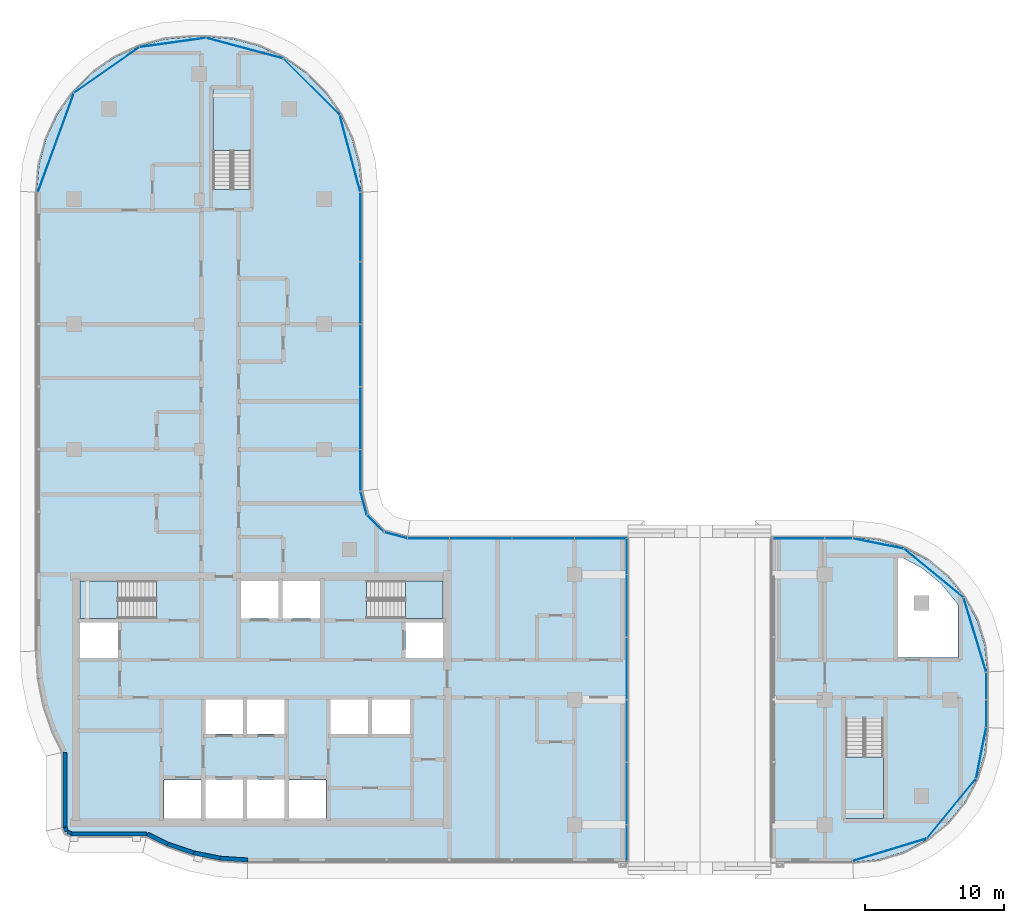
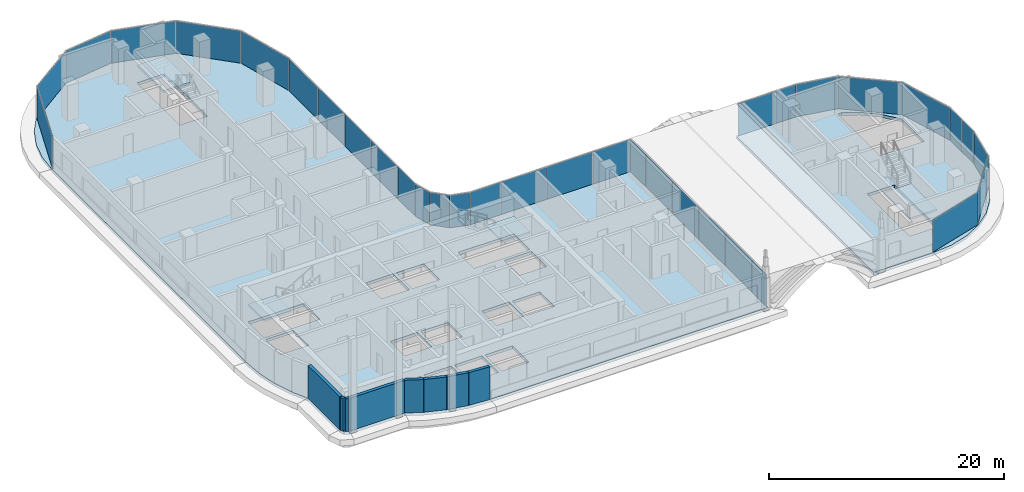
# One storey, part 9 of 23: 34 plates, 8 walls, 6 slabs, 13 elements without a shape of their own.
"""IFC4 building model written with IfcOpenShell, lengths in metres."""

from ifc_helpers import new_model, si_unit, direction, frame, frame_2d, origin, origin_2d, place, context, subcontext, project, spatial, polyline, rectangle, outline, extrude, material, layer, layer_set, type_object, element, aggregate, save


model = new_model("IFC4")

# Units and contexts
model_context = context("Model", 3, precision=1e-05, world=origin(), true_north=direction((0.0, 1.0)))
body_context = subcontext(model_context, "Body", "Model", "MODEL_VIEW")
ifc_project = project(units=[si_unit("LENGTHUNIT", "METRE"), si_unit("AREAUNIT", "SQUARE_METRE"), si_unit("VOLUMEUNIT", "CUBIC_METRE"), si_unit("PLANEANGLEUNIT", "RADIAN"), si_unit("MASSUNIT", "GRAM", prefix="KILO")], contexts=[model_context])

# Site, building, storey
site_placement = place(None, origin())
site = spatial("IfcSite", under=ifc_project, at=site_placement, CompositionType="ELEMENT")
building_placement = place(site_placement, origin())
building = spatial("IfcBuilding", under=site, at=building_placement, Name="Ogive Portal Towers", CompositionType="ELEMENT")
storey_placement = place(building_placement, frame((0.0, 0.0, 179.199951171875)))
storey = spatial("IfcBuildingStorey", under=building, at=storey_placement, Name="L44", CompositionType="ELEMENT", Elevation=179.199951171875)

# Curtain wall, plates
ifc_material_1 = material(Name="Glass, clear low-iron insulated glazing", Category="glass")
curtain_wall_type = type_object("IfcCurtainWallType", Name="CW FRONT RIBBON 4500", PredefinedType="NOTDEFINED", material=ifc_material_1)
curtain_wall_1_placement = place(storey_placement, origin())
curtain_wall_1 = element("IfcCurtainWall", 1, at=curtain_wall_1_placement, inside=storey, type_object=curtain_wall_type, Name="A:L44:f09:cw0", PredefinedType="NOTDEFINED")
ifc_layer_1 = layer(ifc_material_1, 0.028076171875)
ifc_layer_set_1 = layer_set([ifc_layer_1], Name="CW PANEL IGU 28")
plate_type = type_object("IfcPlateType", Name="CW PANEL IGU 28", PredefinedType="CURTAIN_PANEL", material=ifc_layer_set_1)
plate_1_placement = place(storey_placement, frame((71.25, 20.199951171875, 0.0), z_axis=(0.0, 0.0, 1.0), x_axis=(0.0, 1.0, 0.0)))
plate_1 = element("IfcPlate", 2, at=plate_1_placement, type_object=plate_type, Name="panel", PredefinedType="CURTAIN_PANEL", context=body_context, shape_type="SweptSolid", body=[
    extrude(rectangle(XDim=2.5400390625, YDim=0.028076171875, at=origin_2d()), origin(), (0.0, 0.0, 1.0), 3.340087890625),
])
plate_2_placement = place(storey_placement, frame((71.25, 23.75, 0.0), z_axis=(0.0, 0.0, 1.0), x_axis=(0.0, 1.0, 0.0)))
plate_2 = element("IfcPlate", 3, at=plate_2_placement, type_object=plate_type, Name="panel", PredefinedType="CURTAIN_PANEL", context=body_context, shape_type="SweptSolid", body=[
    extrude(rectangle(XDim=4.43994140625, YDim=0.028076171875, at=origin_2d()), origin(), (0.0, 0.0, 1.0), 3.340087890625),
])
plate_3_placement = place(storey_placement, frame((71.25, 28.25, 0.0), z_axis=(0.0, 0.0, 1.0), x_axis=(0.0, 1.0, 0.0)))
plate_3 = element("IfcPlate", 4, at=plate_3_placement, type_object=plate_type, Name="panel", PredefinedType="CURTAIN_PANEL", context=body_context, shape_type="SweptSolid", body=[
    extrude(rectangle(XDim=4.43994140625, YDim=0.028076171875, at=origin_2d()), origin(), (0.0, 0.0, 1.0), 3.340087890625),
])
plate_4_placement = place(storey_placement, frame((71.25, 32.75, 0.0), z_axis=(0.0, 0.0, 1.0), x_axis=(0.0, 1.0, 0.0)))
plate_4 = element("IfcPlate", 5, at=plate_4_placement, type_object=plate_type, Name="panel", PredefinedType="CURTAIN_PANEL", context=body_context, shape_type="SweptSolid", body=[
    extrude(rectangle(XDim=4.43994140625, YDim=0.028076171875, at=origin_2d()), origin(), (0.0, 0.0, 1.0), 3.340087890625),
])
plate_5_placement = place(storey_placement, frame((71.25, 37.25, 0.0), z_axis=(0.0, 0.0, 1.0), x_axis=(0.0, 1.0, 0.0)))
plate_5 = element("IfcPlate", 6, at=plate_5_placement, type_object=plate_type, Name="panel", PredefinedType="CURTAIN_PANEL", context=body_context, shape_type="SweptSolid", body=[
    extrude(rectangle(XDim=4.43994140625, YDim=0.028076171875, at=origin_2d()), origin(), (0.0, 0.0, 1.0), 3.340087890625),
])
plate_6_placement = place(storey_placement, frame((71.25, 40.800048828125, 0.0), z_axis=(0.0, 0.0, 1.0), x_axis=(0.0, 1.0, 0.0)))
plate_6 = element("IfcPlate", 7, at=plate_6_placement, type_object=plate_type, Name="panel", PredefinedType="CURTAIN_PANEL", context=body_context, shape_type="SweptSolid", body=[
    extrude(rectangle(XDim=2.5400390625, YDim=0.028076171875, at=origin_2d()), origin(), (0.0, 0.0, 1.0), 3.340087890625),
])
aggregate(curtain_wall_1, [plate_1, plate_2, plate_3, plate_4, plate_5, plate_6])

curtain_wall_2_placement = place(storey_placement, origin())
curtain_wall_2 = element("IfcCurtainWall", 8, at=curtain_wall_2_placement, inside=storey, type_object=curtain_wall_type, Name="A:L44:f10:cw0", PredefinedType="NOTDEFINED")
plate_7_placement = place(storey_placement, frame((69.375, 42.10009765625, 0.0), z_axis=(0.0, 0.0, 1.0), x_axis=(-1.0, 0.0, 0.0)))
plate_7 = element("IfcPlate", 9, at=plate_7_placement, type_object=plate_type, Name="panel", PredefinedType="CURTAIN_PANEL", context=body_context, shape_type="SweptSolid", body=[
    extrude(rectangle(XDim=3.68994140625, YDim=0.028076171875, at=origin_2d()), origin(), (0.0, 0.0, 1.0), 3.340087890625),
])
plate_8_placement = place(storey_placement, frame((65.25, 42.10009765625, 0.0), z_axis=(0.0, 0.0, 1.0), x_axis=(-1.0, 0.0, 0.0)))
plate_8 = element("IfcPlate", 10, at=plate_8_placement, type_object=plate_type, Name="panel", PredefinedType="CURTAIN_PANEL", context=body_context, shape_type="SweptSolid", body=[
    extrude(rectangle(XDim=4.43994140625, YDim=0.028076171875, at=origin_2d()), origin(), (0.0, 0.0, 1.0), 3.340087890625),
])
plate_9_placement = place(storey_placement, frame((60.75, 42.10009765625, 0.0), z_axis=(0.0, 0.0, 1.0), x_axis=(-1.0, 0.0, 0.0)))
plate_9 = element("IfcPlate", 11, at=plate_9_placement, type_object=plate_type, Name="panel", PredefinedType="CURTAIN_PANEL", context=body_context, shape_type="SweptSolid", body=[
    extrude(rectangle(XDim=4.43994140625, YDim=0.028076171875, at=origin_2d()), origin(), (0.0, 0.0, 1.0), 3.340087890625),
])
plate_10_placement = place(storey_placement, frame((56.99462890625, 42.10009765625, 0.0), z_axis=(0.0, 0.0, 1.0), x_axis=(-1.0, 0.0, 0.0)))
plate_10 = element("IfcPlate", 12, at=plate_10_placement, type_object=plate_type, Name="panel", PredefinedType="CURTAIN_PANEL", context=body_context, shape_type="SweptSolid", body=[
    extrude(rectangle(XDim=2.950439453125, YDim=0.028076171875, at=origin_2d()), origin(), (0.0, 0.0, 1.0), 3.340087890625),
])
aggregate(curtain_wall_2, [plate_7, plate_8, plate_9, plate_10])

curtain_wall_3_placement = place(storey_placement, origin())
curtain_wall_3 = element("IfcCurtainWall", 13, at=curtain_wall_3_placement, inside=storey, type_object=curtain_wall_type, Name="A:L44:f14:cw0", PredefinedType="NOTDEFINED")
plate_11_placement = place(storey_placement, frame((52.10009765625, 46.99462890625, 0.0), z_axis=(0.0, 0.0, 1.0), x_axis=(0.0, 1.0, 0.0)))
plate_11 = element("IfcPlate", 14, at=plate_11_placement, type_object=plate_type, Name="panel", PredefinedType="CURTAIN_PANEL", context=body_context, shape_type="SweptSolid", body=[
    extrude(rectangle(XDim=2.950439453125, YDim=0.028076171875, at=origin_2d()), origin(), (0.0, 0.0, 1.0), 3.340087890625),
])
plate_12_placement = place(storey_placement, frame((52.10009765625, 50.75, 0.0), z_axis=(0.0, 0.0, 1.0), x_axis=(0.0, 1.0, 0.0)))
plate_12 = element("IfcPlate", 15, at=plate_12_placement, type_object=plate_type, Name="panel", PredefinedType="CURTAIN_PANEL", context=body_context, shape_type="SweptSolid", body=[
    extrude(rectangle(XDim=4.43994140625, YDim=0.028076171875, at=origin_2d()), origin(), (0.0, 0.0, 1.0), 3.340087890625),
])
plate_13_placement = place(storey_placement, frame((52.10009765625, 55.25, 0.0), z_axis=(0.0, 0.0, 1.0), x_axis=(0.0, 1.0, 0.0)))
plate_13 = element("IfcPlate", 16, at=plate_13_placement, type_object=plate_type, Name="panel", PredefinedType="CURTAIN_PANEL", context=body_context, shape_type="SweptSolid", body=[
    extrude(rectangle(XDim=4.43994140625, YDim=0.028076171875, at=origin_2d()), origin(), (0.0, 0.0, 1.0), 3.340087890625),
])
plate_14_placement = place(storey_placement, frame((52.10009765625, 59.75, 0.0), z_axis=(0.0, 0.0, 1.0), x_axis=(0.0, 1.0, 0.0)))
plate_14 = element("IfcPlate", 17, at=plate_14_placement, type_object=plate_type, Name="panel", PredefinedType="CURTAIN_PANEL", context=body_context, shape_type="SweptSolid", body=[
    extrude(rectangle(XDim=4.43994140625, YDim=0.028076171875, at=origin_2d()), origin(), (0.0, 0.0, 1.0), 3.340087890625),
])
plate_15_placement = place(storey_placement, frame((52.10009765625, 64.49462890625, 0.0), z_axis=(0.0, 0.0, 1.0), x_axis=(0.0, 1.0, 0.0)))
plate_15 = element("IfcPlate", 18, at=plate_15_placement, type_object=plate_type, Name="panel", PredefinedType="CURTAIN_PANEL", context=body_context, shape_type="SweptSolid", body=[
    extrude(rectangle(XDim=4.929443359375, YDim=0.028076171875, at=origin_2d()), origin(), (0.0, 0.0, 1.0), 3.340087890625),
])
aggregate(curtain_wall_3, [plate_11, plate_12, plate_13, plate_14, plate_15])

curtain_wall_4_placement = place(storey_placement, origin())
curtain_wall_4 = element("IfcCurtainWall", 19, at=curtain_wall_4_placement, inside=storey, type_object=curtain_wall_type, Name="A:L44:f29:cw0", PredefinedType="NOTDEFINED")
plate_16_placement = place(storey_placement, frame((97.10009765625, 29.50390625, 0.0), z_axis=(0.0, 0.0, 1.0), x_axis=(0.0, 1.0, 0.0)))
plate_16 = element("IfcPlate", 20, at=plate_16_placement, type_object=plate_type, Name="panel", PredefinedType="CURTAIN_PANEL", context=body_context, shape_type="SweptSolid", body=[
    extrude(rectangle(XDim=1.93212890625, YDim=0.028076171875, at=origin_2d()), origin(), (0.0, 0.0, 1.0), 3.340087890625),
])
plate_17_placement = place(storey_placement, frame((97.10009765625, 31.494140625, 0.0), z_axis=(0.0, 0.0, 1.0), x_axis=(0.0, 1.0, 0.0)))
plate_17 = element("IfcPlate", 21, at=plate_17_placement, type_object=plate_type, Name="panel", PredefinedType="CURTAIN_PANEL", context=body_context, shape_type="SweptSolid", body=[
    extrude(rectangle(XDim=1.92822265625, YDim=0.028076171875, at=origin_2d()), origin(), (0.0, 0.0, 1.0), 3.340087890625),
])
aggregate(curtain_wall_4, [plate_16, plate_17])

curtain_wall_5_placement = place(storey_placement, origin())
curtain_wall_5 = element("IfcCurtainWall", 22, at=curtain_wall_5_placement, inside=storey, type_object=curtain_wall_type, Name="A:L44:f33:cw0", PredefinedType="NOTDEFINED")
plate_18_placement = place(storey_placement, frame((86.49609375, 42.10009765625, 0.0), z_axis=(0.0, 0.0, 1.0), x_axis=(-1.0, 0.0, 0.0)))
plate_18 = element("IfcPlate", 23, at=plate_18_placement, type_object=plate_type, Name="panel", PredefinedType="CURTAIN_PANEL", context=body_context, shape_type="SweptSolid", body=[
    extrude(rectangle(XDim=1.93212890625, YDim=0.028076171875, at=origin_2d()), origin(), (0.0, 0.0, 1.0), 3.340087890625),
])
plate_19_placement = place(storey_placement, frame((83.625, 42.10009765625, 0.0), z_axis=(0.0, 0.0, 1.0), x_axis=(-1.0, 0.0, 0.0)))
plate_19 = element("IfcPlate", 24, at=plate_19_placement, type_object=plate_type, Name="panel", PredefinedType="CURTAIN_PANEL", context=body_context, shape_type="SweptSolid", body=[
    extrude(rectangle(XDim=3.68994140625, YDim=0.028076171875, at=origin_2d()), origin(), (0.0, 0.0, 1.0), 3.340087890625),
])
aggregate(curtain_wall_5, [plate_18, plate_19])

curtain_wall_6_placement = place(storey_placement, origin())
curtain_wall_6 = element("IfcCurtainWall", 25, at=curtain_wall_6_placement, inside=storey, type_object=curtain_wall_type, Name="A:L44:f11:cwa", PredefinedType="NOTDEFINED")
plate_20_placement = place(storey_placement, frame((54.64404296875, 42.326416015625, 0.0), z_axis=(0.0, 0.0, 1.0), x_axis=(-0.965925826289, 0.258819045103, 0.0)))
plate_20 = element("IfcPlate", 26, at=plate_20_placement, type_object=plate_type, Name="panel", PredefinedType="CURTAIN_PANEL", context=body_context, shape_type="SweptSolid", body=[
    extrude(rectangle(XDim=1.6904296875, YDim=0.028076171875, at=origin_2d()), origin(), (0.0, 0.0, 1.0), 3.340087890625),
])
plate_21_placement = place(storey_placement, frame((53.17578125, 43.17578125, 0.0), z_axis=(0.0, 0.0, 1.0), x_axis=(-0.707106781187, 0.707106781187, 0.0)))
plate_21 = element("IfcPlate", 27, at=plate_21_placement, type_object=plate_type, Name="panel", PredefinedType="CURTAIN_PANEL", context=body_context, shape_type="SweptSolid", body=[
    extrude(rectangle(XDim=1.701416015625, YDim=0.028076171875, at=origin_2d()), origin(), (0.0, 0.0, 1.0), 3.340087890625),
])
plate_22_placement = place(storey_placement, frame((52.326416015625, 44.64404296875, 0.0), z_axis=(0.0, 0.0, 1.0), x_axis=(-0.258819045103, 0.965925826289, 0.0)))
plate_22 = element("IfcPlate", 28, at=plate_22_placement, type_object=plate_type, Name="panel", PredefinedType="CURTAIN_PANEL", context=body_context, shape_type="SweptSolid", body=[
    extrude(rectangle(XDim=1.6904296875, YDim=0.028076171875, at=origin_2d()), origin(), (0.0, 0.0, 1.0), 3.340087890625),
])
aggregate(curtain_wall_6, [plate_20, plate_21, plate_22])

curtain_wall_7_placement = place(storey_placement, origin())
curtain_wall_7 = element("IfcCurtainWall", 29, at=curtain_wall_7_placement, inside=storey, type_object=curtain_wall_type, Name="A:L44:f15:cwa", PredefinedType="NOTDEFINED")
plate_23_placement = place(storey_placement, frame((51.355224609375, 69.76904296875, 0.0), z_axis=(0.0, 0.0, 1.0), x_axis=(-0.258819045103, 0.965925826289, 0.0)))
plate_23 = element("IfcPlate", 30, at=plate_23_placement, type_object=plate_type, Name="panel", PredefinedType="CURTAIN_PANEL", context=body_context, shape_type="SweptSolid", body=[
    extrude(rectangle(XDim=5.6953125, YDim=0.028076171875, at=origin_2d()), origin(), (0.0, 0.0, 1.0), 3.340087890625),
])
plate_24_placement = place(storey_placement, frame((48.57958984375, 74.57958984375, 0.0), z_axis=(0.0, 0.0, 1.0), x_axis=(-0.707106781187, 0.707106781187, 0.0)))
plate_24 = element("IfcPlate", 31, at=plate_24_placement, type_object=plate_type, Name="panel", PredefinedType="CURTAIN_PANEL", context=body_context, shape_type="SweptSolid", body=[
    extrude(rectangle(XDim=5.684326171875, YDim=0.028076171875, at=origin_2d()), origin(), (0.0, 0.0, 1.0), 3.340087890625),
])
plate_25_placement = place(storey_placement, frame((43.771728515625, 77.3544921875, 0.0), z_axis=(0.0, 0.0, 1.0), x_axis=(-0.965925826289, 0.258819045103, 0.0)))
plate_25 = element("IfcPlate", 32, at=plate_25_placement, type_object=plate_type, Name="panel", PredefinedType="CURTAIN_PANEL", context=body_context, shape_type="SweptSolid", body=[
    extrude(rectangle(XDim=5.689453125, YDim=0.028076171875, at=origin_2d()), origin(), (0.0, 0.0, 1.0), 3.340087890625),
])
plate_26_placement = place(storey_placement, frame((38.6005859375, 77.763916015625, 0.0), z_axis=(0.0, 0.0, 1.0), x_axis=(-0.990372546931, -0.13842766445, 0.0)))
plate_26 = element("IfcPlate", 33, at=plate_26_placement, type_object=plate_type, Name="panel", PredefinedType="CURTAIN_PANEL", context=body_context, shape_type="SweptSolid", body=[
    extrude(rectangle(XDim=4.775146484375, YDim=0.028076171875, at=origin_2d()), origin(), (0.0, 0.0, 1.0), 3.340087890625),
])
plate_27_placement = place(storey_placement, frame((33.854248046875, 75.7822265625, 0.0), z_axis=(0.0, 0.0, 1.0), x_axis=(-0.819152044289, -0.573576436351, 0.0)))
plate_27 = element("IfcPlate", 34, at=plate_27_placement, type_object=plate_type, Name="panel", PredefinedType="CURTAIN_PANEL", context=body_context, shape_type="SweptSolid", body=[
    extrude(rectangle(XDim=5.6826171875, YDim=0.028076171875, at=origin_2d()), origin(), (0.0, 0.0, 1.0), 3.340087890625),
])
plate_28_placement = place(storey_placement, frame((30.201171875, 70.560546875, 0.0), z_axis=(0.0, 0.0, 1.0), x_axis=(-0.342020143326, -0.939692620786, 0.0)))
plate_28 = element("IfcPlate", 35, at=plate_28_placement, type_object=plate_type, Name="panel", PredefinedType="CURTAIN_PANEL", context=body_context, shape_type="SweptSolid", body=[
    extrude(rectangle(XDim=7.54833984375, YDim=0.028076171875, at=origin_2d()), origin(), (0.0, 0.0, 1.0), 3.340087890625),
])
aggregate(curtain_wall_7, [plate_23, plate_24, plate_25, plate_26, plate_27, plate_28])

curtain_wall_8_placement = place(storey_placement, origin())
curtain_wall_8 = element("IfcCurtainWall", 36, at=curtain_wall_8_placement, inside=storey, type_object=curtain_wall_type, Name="A:L44:f26:cwa", PredefinedType="NOTDEFINED")
plate_29_placement = place(storey_placement, frame((90.159912109375, 19.71044921875, 0.0), z_axis=(0.0, 0.0, 1.0), x_axis=(0.956940335732, 0.290284677254, 0.0)))
plate_29 = element("IfcPlate", 37, at=plate_29_placement, type_object=plate_type, Name="panel", PredefinedType="CURTAIN_PANEL", context=body_context, shape_type="SweptSolid", body=[
    extrude(rectangle(XDim=5.523681640625, YDim=0.028076171875, at=origin_2d()), origin(), (0.0, 0.0, 1.0), 3.340087890625),
])
plate_30_placement = place(storey_placement, frame((94.60009765625, 22.67578125, 0.0), z_axis=(0.0, 0.0, 1.0), x_axis=(0.634393284164, 0.773010453363, 0.0)))
plate_30 = element("IfcPlate", 38, at=plate_30_placement, type_object=plate_type, Name="panel", PredefinedType="CURTAIN_PANEL", context=body_context, shape_type="SweptSolid", body=[
    extrude(rectangle(XDim=5.515625, YDim=0.028076171875, at=origin_2d()), origin(), (0.0, 0.0, 1.0), 3.340087890625),
])
plate_31_placement = place(storey_placement, frame((96.734375, 26.66943359375, 0.0), z_axis=(0.0, 0.0, 1.0), x_axis=(0.195090322016, 0.980785280403, 0.0)))
plate_31 = element("IfcPlate", 39, at=plate_31_placement, type_object=plate_type, Name="panel", PredefinedType="CURTAIN_PANEL", context=body_context, shape_type="SweptSolid", body=[
    extrude(rectangle(XDim=3.68896484375, YDim=0.028076171875, at=origin_2d()), origin(), (0.0, 0.0, 1.0), 3.340087890625),
])
aggregate(curtain_wall_8, [plate_29, plate_30, plate_31])

curtain_wall_9_placement = place(storey_placement, origin())
curtain_wall_9 = element("IfcCurtainWall", 40, at=curtain_wall_9_placement, inside=storey, type_object=curtain_wall_type, Name="A:L44:f30:cwa", PredefinedType="NOTDEFINED")
plate_32_placement = place(storey_placement, frame((96.28955078125, 35.159912109375, 0.0), z_axis=(0.0, 0.0, 1.0), x_axis=(-0.290284677254, 0.956940335732, 0.0)))
plate_32 = element("IfcPlate", 41, at=plate_32_placement, type_object=plate_type, Name="panel", PredefinedType="CURTAIN_PANEL", context=body_context, shape_type="SweptSolid", body=[
    extrude(rectangle(XDim=5.523681640625, YDim=0.028076171875, at=origin_2d()), origin(), (0.0, 0.0, 1.0), 3.340087890625),
])
plate_33_placement = place(storey_placement, frame((93.32421875, 39.60009765625, 0.0), z_axis=(0.0, 0.0, 1.0), x_axis=(-0.773010453363, 0.634393284164, 0.0)))
plate_33 = element("IfcPlate", 42, at=plate_33_placement, type_object=plate_type, Name="panel", PredefinedType="CURTAIN_PANEL", context=body_context, shape_type="SweptSolid", body=[
    extrude(rectangle(XDim=5.515625, YDim=0.028076171875, at=origin_2d()), origin(), (0.0, 0.0, 1.0), 3.340087890625),
])
plate_34_placement = place(storey_placement, frame((89.33056640625, 41.734375, 0.0), z_axis=(0.0, 0.0, 1.0), x_axis=(-0.980785280403, 0.195090322016, 0.0)))
plate_34 = element("IfcPlate", 43, at=plate_34_placement, type_object=plate_type, Name="panel", PredefinedType="CURTAIN_PANEL", context=body_context, shape_type="SweptSolid", body=[
    extrude(rectangle(XDim=3.68896484375, YDim=0.028076171875, at=origin_2d()), origin(), (0.0, 0.0, 1.0), 3.340087890625),
])
aggregate(curtain_wall_9, [plate_32, plate_33, plate_34])

# Stair, slab
ifc_material_2 = material(Name="Concrete C40/50", Category="concrete")
stair_type = type_object("IfcStairType", Name="INT-STAIR", PredefinedType="HALF_TURN_STAIR", material=ifc_material_2)
stair_1_placement = place(storey_placement, origin())
stair_1 = element("IfcStair", 44, at=stair_1_placement, inside=storey, type_object=stair_type, Name="L44 Exit Stair ST-A1", PredefinedType="HALF_TURN_STAIR")
ifc_layer_2 = layer(ifc_material_2, 0.199951171875)
ifc_layer_set_2 = layer_set([ifc_layer_2], Name="INT-LANDING")
slab_type_1 = type_object("IfcSlabType", Name="INT-LANDING", PredefinedType="LANDING", material=ifc_layer_set_2)
slab_1_placement = place(storey_placement, frame((0.0, 0.0, 1.650146484375)))
slab_1 = element("IfcSlab", 45, at=slab_1_placement, type_object=slab_type_1, Name="ST-A1 landing 1", PredefinedType="LANDING", context=body_context, shape_type="SweptSolid", body=[
    extrude(outline(polyline([(34.64990234375, 39.050048828125), (31.949951171875, 39.050048828125), (31.949951171875, 36.35009765625), (34.64990234375, 36.35009765625), (34.64990234375, 39.050048828125)])), origin(), (0.0, 0.0, 1.0), 0.199951171875),
])
aggregate(stair_1, [slab_1])

stair_2_placement = place(storey_placement, origin())
stair_2 = element("IfcStair", 46, at=stair_2_placement, inside=storey, type_object=stair_type, Name="L44 Exit Stair ST-A2", PredefinedType="HALF_TURN_STAIR")
slab_2_placement = place(storey_placement, frame((0.0, 0.0, 1.650146484375)))
slab_2 = element("IfcSlab", 47, at=slab_2_placement, type_object=slab_type_1, Name="ST-A2 landing 1", PredefinedType="LANDING", context=body_context, shape_type="SweptSolid", body=[
    extrude(outline(polyline([(55.35009765625, 36.35009765625), (58.050048828125, 36.35009765625), (58.050048828125, 39.050048828125), (55.35009765625, 39.050048828125), (55.35009765625, 36.35009765625)])), origin(), (0.0, 0.0, 1.0), 0.199951171875),
])
aggregate(stair_2, [slab_2])

stair_3_placement = place(storey_placement, origin())
stair_3 = element("IfcStair", 48, at=stair_3_placement, inside=storey, type_object=stair_type, Name="L44 Exit Stair ST-A3", PredefinedType="HALF_TURN_STAIR")
slab_3_placement = place(storey_placement, frame((0.0, 0.0, 1.650146484375)))
slab_3 = element("IfcSlab", 49, at=slab_3_placement, type_object=slab_type_1, Name="ST-A3 landing 1", PredefinedType="LANDING", context=body_context, shape_type="SweptSolid", body=[
    extrude(outline(polyline([(44.199951171875, 70.0), (44.199951171875, 74.449951171875), (41.5, 74.449951171875), (41.5, 70.0), (44.199951171875, 70.0)])), origin(), (0.0, 0.0, 1.0), 0.199951171875),
])
aggregate(stair_3, [slab_3])

stair_4_placement = place(storey_placement, origin())
stair_4 = element("IfcStair", 50, at=stair_4_placement, inside=storey, type_object=stair_type, Name="L44 Exit Stair ST-A4", PredefinedType="HALF_TURN_STAIR")
slab_4_placement = place(storey_placement, frame((0.0, 0.0, 1.650146484375)))
slab_4 = element("IfcSlab", 51, at=slab_4_placement, type_object=slab_type_1, Name="ST-A4 landing 1", PredefinedType="LANDING", context=body_context, shape_type="SweptSolid", body=[
    extrude(outline(polyline([(87.0, 26.3701171875), (87.0, 21.949951171875), (89.699951171875, 21.949951171875), (89.699951171875, 26.3701171875), (87.0, 26.3701171875)])), origin(), (0.0, 0.0, 1.0), 0.199951171875),
])
aggregate(stair_4, [slab_4])

# Slabs
ifc_material_3 = material(Name="Concrete C45/55", Category="concrete")
ifc_layer_3 = layer(ifc_material_3, 0.300048828125)
ifc_layer_set_3 = layer_set([ifc_layer_3], Name="PT FLAT PLATE 300")
slab_type_2 = type_object("IfcSlabType", Name="PT FLAT PLATE 300", PredefinedType="FLOOR", material=ifc_layer_set_3)
slab_5_placement = place(storey_placement, frame((0.0, 0.0, -0.300048828125)))
element("IfcSlab", 52, at=slab_5_placement, inside=storey, type_object=slab_type_2, Name="Floor slab L44", PredefinedType="FLOOR", context=body_context, shape_type="SweptSolid", body=[
    extrude(outline(polyline([(28.949951171875, 32.0185546875), (29.337158203125, 30.071044921875), (29.9755859375, 28.19091796875), (30.699951171875, 26.7216796875), (30.699951171875, 21.300048828125), (30.875732421875, 20.875732421875), (31.300048828125, 20.699951171875), (36.7216796875, 20.699951171875), (38.19091796875, 19.9755859375), (40.071044921875, 19.337158203125), (42.0185546875, 18.949951171875), (44.0, 18.820068359375), (71.330078125, 18.820068359375), (71.330078125, 42.179931640625), (55.5, 42.179931640625), (53.840087890625, 42.624755859375), (52.624755859375, 43.840087890625), (52.179931640625, 45.5), (52.179931640625, 67.0), (52.01025390625, 68.94140625), (51.505859375, 70.82373046875), (50.68212890625, 72.590087890625), (49.564453125, 74.186279296875), (48.186279296875, 75.564453125), (46.590087890625, 76.68212890625), (44.82373046875, 77.505859375), (42.94140625, 78.01025390625), (41.0, 78.179931640625), (40.0, 78.179931640625), (38.05859375, 78.01025390625), (36.17626953125, 77.505859375), (34.409912109375, 76.68212890625), (32.813720703125, 75.564453125), (31.435546875, 74.186279296875), (30.31787109375, 72.590087890625), (29.494140625, 70.82373046875), (28.98974609375, 68.94140625), (28.820068359375, 67.0), (28.820068359375, 34.0), (28.949951171875, 32.0185546875)]), holes=[polyline([(40.6298828125, 21.969970703125), (37.969970703125, 21.969970703125), (37.969970703125, 24.72998046875), (40.6298828125, 24.72998046875), (40.6298828125, 21.969970703125)]), polyline([(43.64990234375, 24.75), (43.64990234375, 21.949951171875), (40.949951171875, 21.949951171875), (40.949951171875, 24.75), (43.64990234375, 24.75)]), polyline([(46.64990234375, 24.75), (46.64990234375, 21.949951171875), (43.949951171875, 21.949951171875), (43.949951171875, 24.75), (46.64990234375, 24.75)]), polyline([(43.64990234375, 30.5), (43.64990234375, 28.050048828125), (40.949951171875, 28.050048828125), (40.949951171875, 30.5), (43.64990234375, 30.5)]), polyline([(46.64990234375, 30.5), (46.64990234375, 28.050048828125), (43.949951171875, 28.050048828125), (43.949951171875, 30.5), (46.64990234375, 30.5)]), polyline([(34.64990234375, 36.050048828125), (34.64990234375, 33.5), (31.949951171875, 33.5), (31.949951171875, 36.050048828125), (34.64990234375, 36.050048828125)]), polyline([(31.951904296875, 39.048095703125), (37.447998046875, 39.048095703125), (37.447998046875, 36.35205078125), (31.951904296875, 36.35205078125), (31.951904296875, 39.048095703125)]), polyline([(46.199951171875, 39.050048828125), (46.199951171875, 36.35009765625), (43.5, 36.35009765625), (43.5, 39.050048828125), (46.199951171875, 39.050048828125)]), polyline([(44.197998046875, 74.447998046875), (44.197998046875, 67.201904296875), (41.501953125, 67.201904296875), (41.501953125, 74.447998046875), (44.197998046875, 74.447998046875)]), polyline([(49.6298828125, 21.969970703125), (46.969970703125, 21.969970703125), (46.969970703125, 24.72998046875), (49.6298828125, 24.72998046875), (49.6298828125, 21.969970703125)]), polyline([(52.64990234375, 30.5), (52.64990234375, 28.050048828125), (49.949951171875, 28.050048828125), (49.949951171875, 30.5), (52.64990234375, 30.5)]), polyline([(55.64990234375, 30.5), (55.64990234375, 28.050048828125), (52.949951171875, 28.050048828125), (52.949951171875, 30.5), (55.64990234375, 30.5)]), polyline([(58.050048828125, 36.050048828125), (58.050048828125, 33.5), (55.35009765625, 33.5), (55.35009765625, 36.050048828125), (58.050048828125, 36.050048828125)]), polyline([(49.199951171875, 36.35009765625), (46.5, 36.35009765625), (46.5, 39.050048828125), (49.199951171875, 39.050048828125), (49.199951171875, 36.35009765625)]), polyline([(52.552001953125, 36.35205078125), (52.552001953125, 39.048095703125), (58.048095703125, 39.048095703125), (58.048095703125, 36.35205078125), (52.552001953125, 36.35205078125)])]), origin(), (0.0, 0.0, 1.0), 0.300048828125),
])
slab_6_placement = place(storey_placement, frame((0.0, 0.0, -0.300048828125)))
element("IfcSlab", 53, at=slab_6_placement, inside=storey, type_object=slab_type_2, Name="Floor slab L44", PredefinedType="FLOOR", context=body_context, shape_type="SweptSolid", body=[
    extrude(outline(polyline([(89.388427734375, 41.993896484375), (87.5, 42.179931640625), (81.669921875, 42.179931640625), (81.669921875, 18.820068359375), (87.5, 18.820068359375), (89.388427734375, 19.006103515625), (91.204345703125, 19.556884765625), (92.8779296875, 20.451416015625), (94.3447265625, 21.6552734375), (95.548583984375, 23.1220703125), (96.443115234375, 24.795654296875), (96.993896484375, 26.611572265625), (97.179931640625, 28.5), (97.179931640625, 32.5), (96.993896484375, 34.388427734375), (96.443115234375, 36.204345703125), (95.548583984375, 37.8779296875), (94.3447265625, 39.3447265625), (92.8779296875, 40.548583984375), (91.204345703125, 41.443115234375), (89.388427734375, 41.993896484375)]), holes=[polyline([(87.001953125, 21.951904296875), (87.001953125, 29.16796875), (89.697998046875, 29.16796875), (89.697998046875, 21.951904296875), (87.001953125, 21.951904296875)]), polyline([(93.847412109375, 38.847412109375), (94.9638671875, 37.487060546875), (95.080078125, 37.269775390625), (95.080078125, 33.52001953125), (90.77001953125, 33.52001953125), (90.77001953125, 40.679931640625), (91.147216796875, 40.679931640625), (92.487060546875, 39.9638671875), (93.847412109375, 38.847412109375)])]), origin(), (0.0, 0.0, 1.0), 0.300048828125),
])

# Walls
ifc_material_4 = material(Name="Limestone cladding on lightweight block wall", Category="masonry")
ifc_layer_4 = layer(ifc_material_4, 0.300048828125)
ifc_layer_set_4 = layer_set([ifc_layer_4], Name="EXTERNAL WALL 300 STONE")
wall_type = type_object("IfcWallType", Name="EXTERNAL WALL 300 STONE", PredefinedType="SOLIDWALL", material=ifc_layer_set_4)
wall_1_placement = place(storey_placement, frame((30.85009765625, 26.7216796875, 0.0), z_axis=(0.0, 0.0, 1.0), x_axis=(0.0, -1.0, 0.0)))
element("IfcWall", 54, at=wall_1_placement, inside=storey, type_object=wall_type, Name="A:L44:f00:r0:wall", PredefinedType="SOLIDWALL", context=body_context, shape_type="SweptSolid", body=[
    extrude(rectangle(XDim=5.362060546875, YDim=0.300048828125, at=frame_2d((2.68115234375, 0.0))), origin(), (0.0, 0.0, 1.0), 3.400146484375),
])
for number, where, z_axis, x_axis, name in (
    (55, (30.861328125, 21.30224609375, 0.0), (0.0, 0.0, 1.0), (0.38297812142, -0.923757413239, 0.0), "A:L44:f01:r0:wall"),
    (56, (31.0478515625, 20.966796875, 0.0), (0.0, 0.0, 1.0), (0.923757413239, -0.38297812142, 0.0), "A:L44:f02:r0:wall"),
):
    element("IfcWall", number, at=place(storey_placement, frame(where, z_axis=z_axis, x_axis=x_axis)), inside=storey, type_object=wall_type, Name=name, PredefinedType="SOLIDWALL", context=body_context, shape_type="SweptSolid", body=[
        extrude(rectangle(XDim=0.275390625, YDim=0.300048828125, at=frame_2d((0.1376953125, 0.0))), origin(), (0.0, 0.0, 1.0), 3.400146484375),
    ])
wall_2_placement = place(storey_placement, frame((31.359619140625, 20.85009765625, 0.0), z_axis=(0.0, 0.0, 1.0), x_axis=(1.0, 0.0, 0.0)))
element("IfcWall", 57, at=wall_2_placement, inside=storey, type_object=wall_type, Name="A:L44:f03:r0:wall", PredefinedType="SOLIDWALL", context=body_context, shape_type="SweptSolid", body=[
    extrude(rectangle(XDim=5.362060546875, YDim=0.300048828125, at=frame_2d((2.68115234375, 0.0))), origin(), (0.0, 0.0, 1.0), 3.400146484375),
])
wall_3_placement = place(storey_placement, frame((36.7880859375, 20.83447265625, 0.0), z_axis=(0.0, 0.0, 1.0), x_axis=(0.896857753975, -0.442319080682, 0.0)))
element("IfcWall", 58, at=wall_3_placement, inside=storey, type_object=wall_type, Name="A:L44:f04:r0:wall", PredefinedType="SOLIDWALL", context=body_context, shape_type="SweptSolid", body=[
    extrude(rectangle(XDim=1.618408203125, YDim=0.300048828125, at=frame_2d((0.80908203125, 0.0))), origin(), (0.0, 0.0, 1.0), 3.400146484375),
])
for number, where, z_axis, x_axis, name in (
    (59, (38.2578125, 20.111328125, 0.0), (0.0, 0.0, 1.0), (0.946912572858, -0.32149118085, 0.0), "A:L44:f05:r0:wall"),
    (60, (40.11962890625, 19.48046875, 0.0), (0.0, 0.0, 1.0), (0.980792379364, -0.195054629737, 0.0), "A:L44:f06:r0:wall"),
):
    element("IfcWall", number, at=place(storey_placement, frame(where, z_axis=z_axis, x_axis=x_axis)), inside=storey, type_object=wall_type, Name=name, PredefinedType="SOLIDWALL", context=body_context, shape_type="SweptSolid", body=[
        extrude(rectangle(XDim=1.9462890625, YDim=0.300048828125, at=frame_2d((0.97314453125, 0.0))), origin(), (0.0, 0.0, 1.0), 3.400146484375),
    ])
wall_4_placement = place(storey_placement, frame((42.048095703125, 19.09814453125, 0.0), z_axis=(0.0, 0.0, 1.0), x_axis=(0.997859086025, -0.065400645538, 0.0)))
element("IfcWall", 61, at=wall_4_placement, inside=storey, type_object=wall_type, Name="A:L44:f07:r0:wall", PredefinedType="SOLIDWALL", context=body_context, shape_type="SweptSolid", body=[
    extrude(rectangle(XDim=1.9560546875, YDim=0.300048828125, at=frame_2d((0.97802734375, 0.0))), origin(), (0.0, 0.0, 1.0), 3.400146484375),
])

save(model, "model.ifc")
